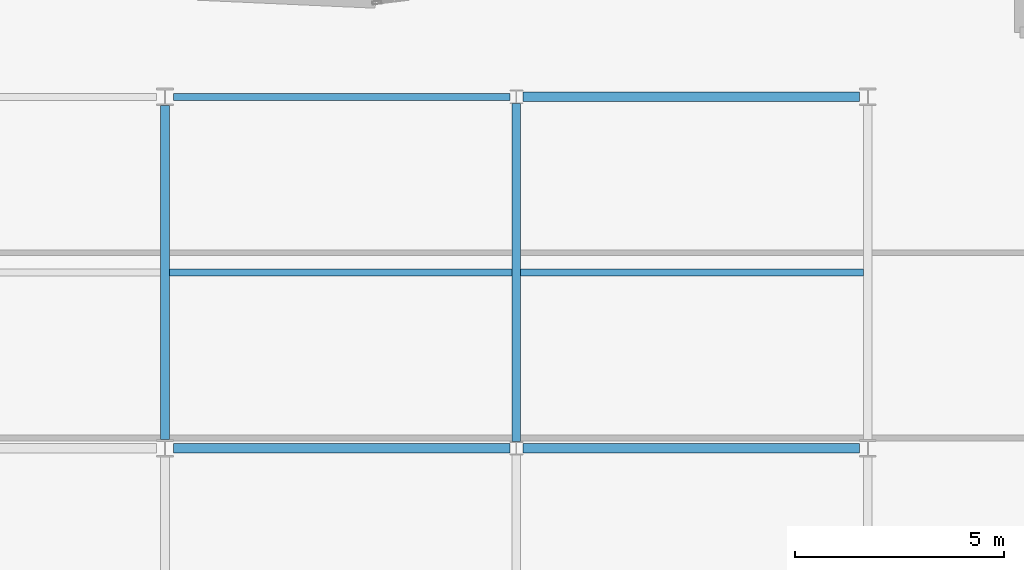
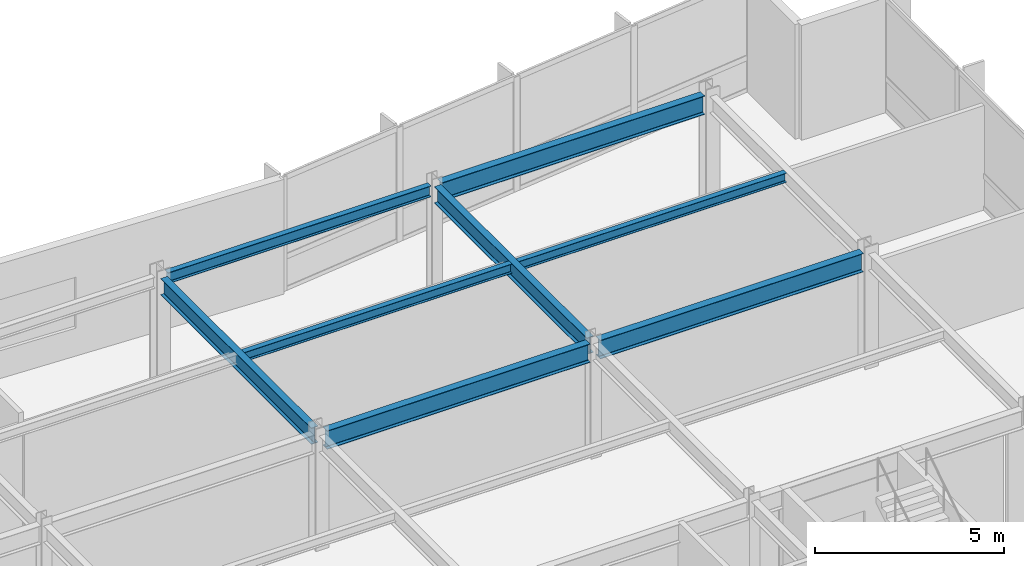
# One storey, part 6 of 17: 8 beams.
"""IFC4 building model written with IfcOpenShell, lengths in metres."""

from ifc_helpers import new_model, si_unit, direction, frame, origin, origin_2d, place, context, subcontext, project, spatial, i_section, extrude, material, material_profile, profile_set, type_object, element, save


model = new_model("IFC4")

# Units and contexts
model_context = context("Model", 3, precision=1e-05, world=origin(), true_north=direction((0.0, 1.0)))
body_context = subcontext(model_context, "Body", "Model", "MODEL_VIEW")
ifc_project = project(units=[si_unit("LENGTHUNIT", "METRE"), si_unit("AREAUNIT", "SQUARE_METRE"), si_unit("VOLUMEUNIT", "CUBIC_METRE"), si_unit("PLANEANGLEUNIT", "RADIAN"), si_unit("MASSUNIT", "GRAM", prefix="KILO")], contexts=[model_context])

# Site, building, storey
site_placement = place(None, origin())
site = spatial("IfcSite", under=ifc_project, at=site_placement, CompositionType="ELEMENT")
building_placement = place(site_placement, origin())
building = spatial("IfcBuilding", under=site, at=building_placement, Name="Varnakote Quay Hospital", CompositionType="ELEMENT")
storey_placement = place(building_placement, frame((0.0, 0.0, 103.35009765625)))
storey = spatial("IfcBuildingStorey", under=building, at=storey_placement, Name="L25", CompositionType="ELEMENT", Elevation=103.35009765625)

# Beams
ifc_material_1 = material(Name="Structural steel AS/NZS 3679.1 Grade 350 L0 (fy 340 MPa)", Category="steel")
ifc_material_profile_1 = material_profile(ifc_material_1, i_section(OverallWidth=0.208984375, OverallDepth=0.532958984375, WebThickness=0.01025390625, FlangeThickness=0.015625, FilletRadius=0.013916015625, at=origin_2d()), Name="530UB92.4")
ifc_profile_set_1 = profile_set([ifc_material_profile_1], Name="Structural steel AS/NZS 3679.1 Grade 350 L0 (fy 340 MPa)")
beam_type_1 = type_object("IfcBeamType", Name="BM-STL-530UB92-4", PredefinedType="BEAM", material=ifc_profile_set_1)
beam_1_placement = place(storey_placement, frame((33.60009765625, 20.610107421875, 3.443359375), z_axis=(0.0, 1.0, 0.0), x_axis=(-1.0, 0.0, 0.0)))
element("IfcBeam", 1, at=beam_1_placement, inside=storey, type_object=beam_type_1, Name="L25 Primary Tie Beam", PredefinedType="BEAM", context=body_context, shape_type="SweptSolid", body=[
    extrude(i_section(OverallWidth=0.208984375, OverallDepth=0.532958984375, WebThickness=0.01025390625, FlangeThickness=0.015625, FilletRadius=0.013916015625, at=origin_2d()), origin(), (0.0, 0.0, 1.0), 7.97998046875),
])
beam_2_placement = place(storey_placement, frame((42.0, 20.560546875, 3.443359375), z_axis=(0.0, 1.0, 0.0), x_axis=(-1.0, 0.0, 0.0)))
element("IfcBeam", 2, at=beam_2_placement, inside=storey, type_object=beam_type_1, Name="L25 Primary Tie Beam", PredefinedType="BEAM", context=body_context, shape_type="SweptSolid", body=[
    extrude(i_section(OverallWidth=0.208984375, OverallDepth=0.532958984375, WebThickness=0.01025390625, FlangeThickness=0.015625, FilletRadius=0.013916015625, at=origin_2d()), origin(), (0.0, 0.0, 1.0), 8.078857421875),
])
ifc_material_2 = material(Name="Structural steel AS/NZS 3679.1 Grade 350 L0 (fy 340 MPa)", Category="steel")
ifc_material_profile_2 = material_profile(ifc_material_2, i_section(OverallWidth=0.22802734375, OverallDepth=0.60205078125, WebThickness=0.010498046875, FlangeThickness=0.014892578125, FilletRadius=0.013916015625, at=origin_2d()), Name="610UB101")
ifc_profile_set_2 = profile_set([ifc_material_profile_2], Name="Structural steel AS/NZS 3679.1 Grade 350 L0 (fy 340 MPa)")
beam_type_2 = type_object("IfcBeamType", Name="BM-STL-610UB101", PredefinedType="BEAM", material=ifc_profile_set_2)
for number, where, z_axis, x_axis, name in (
    (3, (33.800048828125, 20.39990234375, 3.408935546875), (1.0, 0.0, 0.0), (0.0, 1.0, 0.0), "L25 Primary Floor Beam"),
    (4, (42.154541015625, 20.39990234375, 3.408935546875), (1.0, 0.0, 0.0), (0.0, 1.0, 0.0), "L25 Primary Floor Beam"),
    (5, (42.154541015625, 28.800048828125, 3.408935546875), (1.0, 0.0, 0.0), (0.0, 1.0, 0.0), "L25 Primary Floor Beam"),
):
    element("IfcBeam", number, at=place(storey_placement, frame(where, z_axis=z_axis, x_axis=x_axis)), inside=storey, type_object=beam_type_2, Name=name, PredefinedType="BEAM", context=body_context, shape_type="SweptSolid", body=[
        extrude(i_section(OverallWidth=0.22802734375, OverallDepth=0.60205078125, WebThickness=0.010498046875, FlangeThickness=0.014892578125, FilletRadius=0.013916015625, at=origin_2d()), origin(), (0.0, 0.0, 1.0), 8.04541015625),
    ])
ifc_material_3 = material(Name="Structural steel AS/NZS 3679.1 Grade 350 L0 (fy 340 MPa)", Category="steel")
ifc_material_profile_3 = material_profile(ifc_material_3, i_section(OverallWidth=0.1650390625, OverallDepth=0.303955078125, WebThickness=0.006103515625, FlangeThickness=0.01025390625, FilletRadius=0.011474609375, at=origin_2d()), Name="310UB40.4")
ifc_profile_set_3 = profile_set([ifc_material_profile_3], Name="Structural steel AS/NZS 3679.1 Grade 350 L0 (fy 340 MPa)")
beam_type_3 = type_object("IfcBeamType", Name="JST-STL-310UB40-4", PredefinedType="JOIST", material=ifc_profile_set_3)
for number, where, z_axis, x_axis, name in (
    (6, (33.70458984375, 24.60009765625, 3.557861328125), (1.0, 0.0, 0.0), (0.0, 1.0, 0.0), "L25 Composite Floor Joist"),
    (7, (42.1044921875, 24.60009765625, 3.557861328125), (1.0, 0.0, 0.0), (0.0, 1.0, 0.0), "L25 Composite Floor Joist"),
):
    element("IfcBeam", number, at=place(storey_placement, frame(where, z_axis=z_axis, x_axis=x_axis)), inside=storey, type_object=beam_type_3, Name=name, PredefinedType="JOIST", context=body_context, shape_type="SweptSolid", body=[
        extrude(i_section(OverallWidth=0.1650390625, OverallDepth=0.303955078125, WebThickness=0.006103515625, FlangeThickness=0.01025390625, FilletRadius=0.011474609375, at=origin_2d()), origin(), (0.0, 0.0, 1.0), 8.19091796875),
    ])
ifc_material_4 = material(Name="Structural steel AS/NZS 3679.1 Grade 350 L0 (fy 340 MPa)", Category="steel")
ifc_material_profile_4 = material_profile(ifc_material_4, i_section(OverallWidth=0.172119140625, OverallDepth=0.35888671875, WebThickness=0.008056640625, FlangeThickness=0.012939453125, FilletRadius=0.011474609375, at=origin_2d()), Name="360UB56.7")
ifc_profile_set_4 = profile_set([ifc_material_profile_4], Name="Structural steel AS/NZS 3679.1 Grade 350 L0 (fy 340 MPa)")
beam_type_4 = type_object("IfcBeamType", Name="SPN-STL-360UB56-7", PredefinedType="SPANDREL", material=ifc_profile_set_4)
beam_3_placement = place(storey_placement, frame((33.800048828125, 28.800048828125, 3.530517578125), z_axis=(1.0, 0.0, 0.0), x_axis=(0.0, 1.0, 0.0)))
element("IfcBeam", 8, at=beam_3_placement, inside=storey, type_object=beam_type_4, Name="L25 Perimeter Spandrel Beam", PredefinedType="SPANDREL", context=body_context, shape_type="SweptSolid", body=[
    extrude(i_section(OverallWidth=0.172119140625, OverallDepth=0.35888671875, WebThickness=0.008056640625, FlangeThickness=0.012939453125, FilletRadius=0.011474609375, at=origin_2d()), origin(), (0.0, 0.0, 1.0), 8.04541015625),
])

save(model, "model.ifc")
